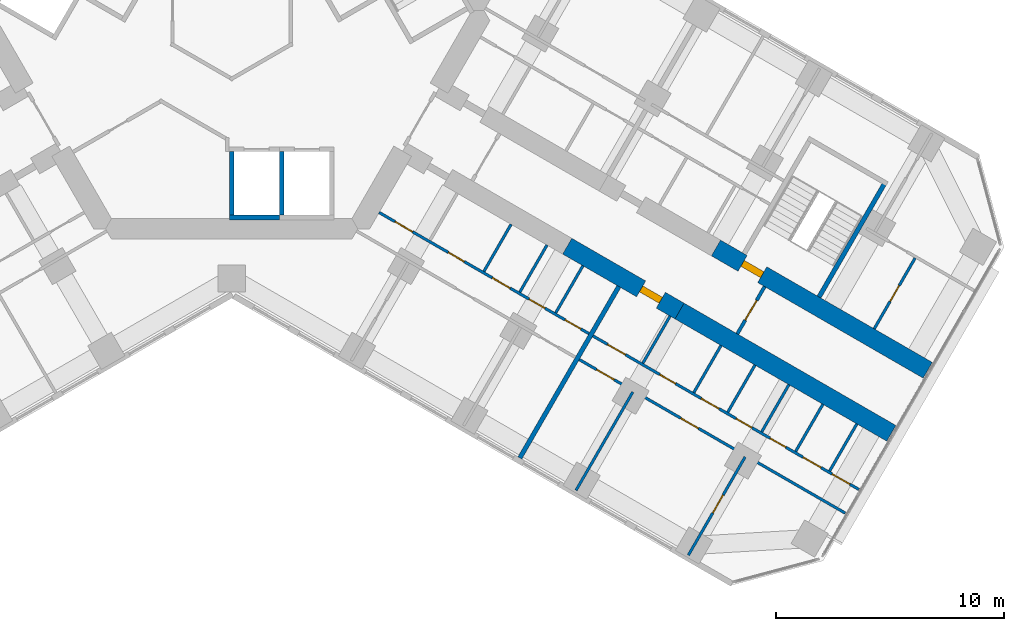
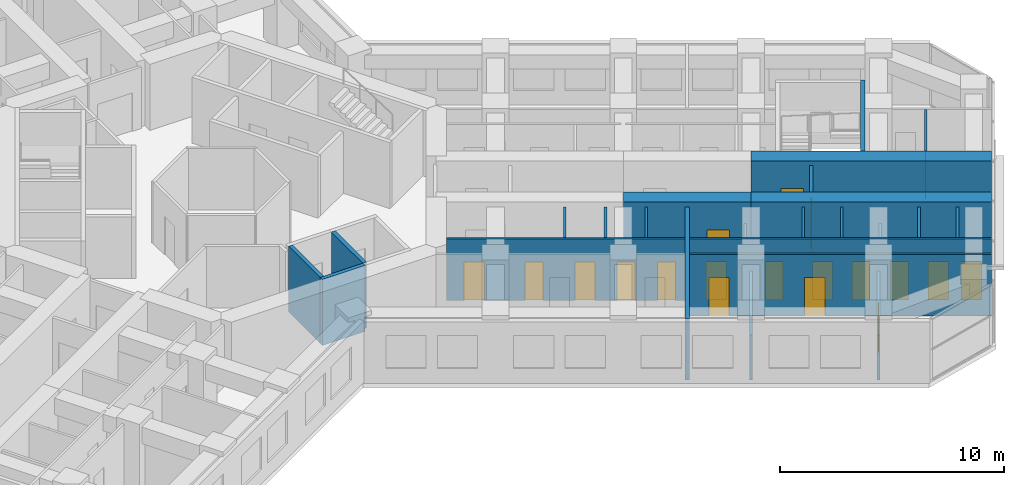
# One storey, part 14 of 20: 24 walls, 19 doors, 19 openings.
"""IFC4 building model written with IfcOpenShell, lengths in metres."""

from ifc_helpers import new_model, si_unit, direction, frame, frame_2d, origin, place, context, subcontext, project, spatial, rectangle, extrude, material, layer, layer_set, type_object, element, fill, save


model = new_model("IFC4")

# Units and contexts
model_context = context("Model", 3, precision=1e-05, world=origin(), true_north=direction((0.0, 1.0)))
body_context = subcontext(model_context, "Body", "Model", "MODEL_VIEW")
ifc_project = project(units=[si_unit("LENGTHUNIT", "METRE"), si_unit("AREAUNIT", "SQUARE_METRE"), si_unit("VOLUMEUNIT", "CUBIC_METRE"), si_unit("PLANEANGLEUNIT", "RADIAN"), si_unit("MASSUNIT", "GRAM", prefix="KILO")], contexts=[model_context])

# Site, building, storey
site_placement = place(None, origin())
site = spatial("IfcSite", under=ifc_project, at=site_placement, CompositionType="ELEMENT")
building_placement = place(site_placement, origin())
building = spatial("IfcBuilding", under=site, at=building_placement, Name="Kosmar Iwan School Tower", CompositionType="ELEMENT")
storey_placement = place(building_placement, frame((0.0, 0.0, 127.39990234375)))
storey = spatial("IfcBuildingStorey", under=building, at=storey_placement, Name="L31", CompositionType="ELEMENT", Elevation=127.39990234375)

# Wall, opening, door
ifc_material_1 = material(Name="Concrete C50/60", Category="concrete")
ifc_layer_1 = layer(ifc_material_1, 0.800048828125)
ifc_layer_set_1 = layer_set([ifc_layer_1], Name="Corridor buttress wall 800")
wall_type_1 = type_object("IfcWallType", Name="Corridor buttress wall 800", PredefinedType="SHEAR", material=ifc_layer_set_1)
wall_1_placement = place(storey_placement, frame((21.281494140625, -10.439453125, 0.0), z_axis=(0.0, 0.0, 1.0), x_axis=(0.866032345022, -0.499987977232, 0.0)))
wall_1 = element("IfcWall", 1, at=wall_1_placement, inside=storey, type_object=wall_type_1, Name="Corridor wall CL bay 3", PredefinedType="SHEAR", context=body_context, shape_type="SweptSolid", body=[
    extrude(rectangle(XDim=10.744873046875, YDim=0.800048828125, at=frame_2d((5.37255859375, 0.0))), origin(), (0.0, 0.0, 1.0), 3.60009765625),
])
opening_1_placement = place(wall_1_placement, frame((1.35009765625, 0.0, 0.0)))
opening_1 = element("IfcOpeningElement", 2, at=opening_1_placement, cuts=wall_1, Name="Opening D6", PredefinedType="OPENING", context=body_context, shape_type="SweptSolid", body=[
    extrude(rectangle(XDim=1.0, YDim=2.10009765625, at=frame_2d((0.5, 1.050048828125))), frame((0.0, 0.412109375, 0.0), z_axis=(0.0, -1.0, 0.0), x_axis=(1.0, 0.0, 0.0)), (0.0, 0.0, 1.0), 0.823974609375),
])
ifc_material_2 = material(Name="Steel fire door", Category="steel")
door_type_1 = type_object("IfcDoorType", Name="Stair door 1000x2100", OperationType="SINGLE_SWING_LEFT", PredefinedType="DOOR", material=ifc_material_2)
door_1_placement = place(opening_1_placement, origin())
door_1 = element("IfcDoor", 3, at=door_1_placement, inside=storey, type_object=door_type_1, Name="Stair WS3 door L31", OperationType="SINGLE_SWING_LEFT", OverallHeight=2.10009765625, OverallWidth=1.0, PredefinedType="DOOR", context=body_context, shape_type="SweptSolid", body=[
    extrude(rectangle(XDim=1.0, YDim=2.10009765625, at=frame_2d((0.5, 1.050048828125))), frame((0.0, 0.14990234375, 0.0), z_axis=(0.0, -1.0, 0.0), x_axis=(1.0, 0.0, 0.0)), (0.0, 0.0, 1.0), 0.300048828125),
])
fill(opening_1, door_1)

wall_2_placement = place(storey_placement, frame((14.7451171875, -10.360595703125, 0.0), z_axis=(0.0, 0.0, 1.0), x_axis=(0.866015111908, -0.50001782563, 0.0)))
wall_2 = element("IfcWall", 4, at=wall_2_placement, inside=storey, type_object=wall_type_1, Name="Corridor wall CR bay 2", PredefinedType="SHEAR", context=body_context, shape_type="SweptSolid", body=[
    extrude(rectangle(XDim=5.699951171875, YDim=0.800048828125, at=frame_2d((2.85009765625, 0.0))), origin(), (0.0, 0.0, 1.0), 3.60009765625),
])
opening_2_placement = place(wall_2_placement, frame((3.75, 0.0, 0.0)))
opening_2 = element("IfcOpeningElement", 5, at=opening_2_placement, cuts=wall_2, Name="Opening D1", PredefinedType="OPENING", context=body_context, shape_type="SweptSolid", body=[
    extrude(rectangle(XDim=1.0, YDim=2.10009765625, at=frame_2d((0.5, 1.050048828125))), frame((0.0, 0.412109375, 0.0), z_axis=(0.0, -1.0, 0.0), x_axis=(1.0, 0.0, 0.0)), (0.0, 0.0, 1.0), 0.823974609375),
])
ifc_material_3 = material(Name="Timber fire door in steel frame", Category="steel")
door_type_2 = type_object("IfcDoorType", Name="Flat entrance door 1000x2100", OperationType="SINGLE_SWING_LEFT", PredefinedType="DOOR", material=ifc_material_3)
door_2_placement = place(opening_2_placement, origin())
door_2 = element("IfcDoor", 6, at=door_2_placement, inside=storey, type_object=door_type_2, Name="Flat L31-CR2 entrance door", OperationType="SINGLE_SWING_RIGHT", OverallHeight=2.10009765625, OverallWidth=1.0, PredefinedType="DOOR", context=body_context, shape_type="SweptSolid", body=[
    extrude(rectangle(XDim=1.0, YDim=2.10009765625, at=frame_2d((0.5, 1.050048828125))), frame((0.0, 0.14990234375, 0.0), z_axis=(0.0, -1.0, 0.0), x_axis=(1.0, 0.0, 0.0)), (0.0, 0.0, 1.0), 0.300048828125),
])
fill(opening_2, door_2)

# Wall
wall_3_placement = place(storey_placement, frame((19.681396484375, -13.210693359375, 0.0), z_axis=(0.0, 0.0, 1.0), x_axis=(0.866028186671, -0.499995179869, 0.0)))
element("IfcWall", 7, at=wall_3_placement, inside=storey, type_object=wall_type_1, Name="Corridor wall CR bay 3", PredefinedType="SHEAR", context=body_context, shape_type="SweptSolid", body=[
    extrude(rectangle(XDim=10.7451171875, YDim=0.800048828125, at=frame_2d((5.37255859375, 0.0))), origin(), (0.0, 0.0, 1.0), 3.60009765625),
])

# Wall, opening, door
ifc_material_4 = material(Name="Gypsum board on steel studs, fire-rated", Category="steel")
ifc_layer_2 = layer(ifc_material_4, 0.14990234375)
ifc_layer_set_2 = layer_set([ifc_layer_2], Name="Corridor end wall 150")
wall_type_2 = type_object("IfcWallType", Name="Corridor end wall 150", PredefinedType="PARTITIONING", material=ifc_layer_set_2)
wall_4_placement = place(storey_placement, frame((22.2197265625, -14.21435546875, 0.0), z_axis=(0.0, 0.0, 1.0), x_axis=(0.499957262057, 0.866050077142, 0.0)))
wall_4 = element("IfcWall", 8, at=wall_4_placement, inside=storey, type_object=wall_type_2, Name="Partition L31-C-CE", PredefinedType="PARTITIONING", context=body_context, shape_type="SweptSolid", body=[
    extrude(rectangle(XDim=2.400146484375, YDim=0.14990234375, at=frame_2d((1.2001953125, 0.0))), origin(), (0.0, 0.0, 1.0), 3.35009765625),
])
opening_3_placement = place(wall_4_placement, frame((0.699951171875, 0.0, 0.0)))
opening_3 = element("IfcOpeningElement", 9, at=opening_3_placement, cuts=wall_4, Name="Opening D13", PredefinedType="OPENING", context=body_context, shape_type="SweptSolid", body=[
    extrude(rectangle(XDim=1.0, YDim=2.10009765625, at=frame_2d((0.5, 1.050048828125))), frame((0.0, 0.0869140625, 0.0), z_axis=(0.0, -1.0, 0.0), x_axis=(1.0, 0.0, 0.0)), (0.0, 0.0, 1.0), 0.173828125),
])
ifc_material_5 = material(Name="Timber fire door with vision panel", Category="wood")
door_type_3 = type_object("IfcDoorType", Name="Corridor end door 1000x2100", OperationType="SINGLE_SWING_LEFT", PredefinedType="DOOR", material=ifc_material_5)
door_3_placement = place(opening_3_placement, origin())
door_3 = element("IfcDoor", 10, at=door_3_placement, inside=storey, type_object=door_type_3, Name="Family study room door L31-C", OperationType="SINGLE_SWING_RIGHT", OverallHeight=2.10009765625, OverallWidth=1.0, PredefinedType="DOOR", context=body_context, shape_type="SweptSolid", body=[
    extrude(rectangle(XDim=1.0, YDim=2.10009765625, at=frame_2d((0.5, 1.050048828125))), frame((0.0, 0.02490234375, 0.0), z_axis=(0.0, -1.0, 0.0), x_axis=(1.0, 0.0, 0.0)), (0.0, 0.0, 1.0), 0.050048828125),
])
fill(opening_3, door_3)

ifc_material_6 = material(Name="Gypsum board on steel studs", Category="steel")
ifc_layer_3 = layer(ifc_material_6, 0.1201171875)
ifc_layer_set_3 = layer_set([ifc_layer_3], Name="Dwelling partition 120")
wall_type_3 = type_object("IfcWallType", Name="Dwelling partition 120", PredefinedType="PARTITIONING", material=ifc_layer_set_3)
wall_5_placement = place(storey_placement, frame((28.236572265625, -13.992919921875, 0.0), z_axis=(0.0, 0.0, 1.0), x_axis=(0.499971658126, 0.866041766355, 0.0)))
wall_5 = element("IfcWall", 11, at=wall_5_placement, inside=storey, type_object=wall_type_3, Name="Partition L31-CL2-TY", PredefinedType="PARTITIONING", context=body_context, shape_type="SweptSolid", body=[
    extrude(rectangle(XDim=3.590087890625, YDim=0.1201171875, at=frame_2d((1.794921875, 0.0))), origin(), (0.0, 0.0, 1.0), 3.35009765625),
])
opening_4_placement = place(wall_5_placement, frame((1.39501953125, 0.0, 0.0)))
opening_4 = element("IfcOpeningElement", 12, at=opening_4_placement, cuts=wall_5, Name="Opening D3", PredefinedType="OPENING", context=body_context, shape_type="SweptSolid", body=[
    extrude(rectangle(XDim=0.800048828125, YDim=2.10009765625, at=frame_2d((0.39990234375, 1.050048828125))), frame((0.0, 0.072021484375, 0.0), z_axis=(0.0, -1.0, 0.0), x_axis=(1.0, 0.0, 0.0)), (0.0, 0.0, 1.0), 0.14404296875),
])
ifc_material_7 = material(Name="Timber door in timber frame", Category="wood")
door_type_4 = type_object("IfcDoorType", Name="Sanitary room door 800x2100", OperationType="SINGLE_SWING_LEFT", PredefinedType="DOOR", material=ifc_material_7)
door_4_placement = place(opening_4_placement, origin())
door_4 = element("IfcDoor", 13, at=door_4_placement, inside=storey, type_object=door_type_4, Name="Shower room door L31-CL2-T4", OperationType="SINGLE_SWING_RIGHT", OverallHeight=2.10009765625, OverallWidth=0.800048828125, PredefinedType="DOOR", context=body_context, shape_type="SweptSolid", body=[
    extrude(rectangle(XDim=0.800048828125, YDim=2.10009765625, at=frame_2d((0.39990234375, 1.050048828125))), frame((0.0, 0.02490234375, 0.0), z_axis=(0.0, -1.0, 0.0), x_axis=(1.0, 0.0, 0.0)), (0.0, 0.0, 1.0), 0.050048828125),
])
fill(opening_4, door_4)

# Wall, openings, doors
wall_6_placement = place(storey_placement, frame((6.478515625, -8.87890625, 0.0), z_axis=(0.0, 0.0, 1.0), x_axis=(0.866026778288, -0.499997619282, 0.0)))
wall_6 = element("IfcWall", 14, at=wall_6_placement, inside=storey, type_object=wall_type_3, Name="Partition L31-CR1-W1", PredefinedType="PARTITIONING", context=body_context, shape_type="SweptSolid", body=[
    extrude(rectangle(XDim=10.64990234375, YDim=0.1201171875, at=frame_2d((5.324951171875, 0.0))), origin(), (0.0, 0.0, 1.0), 3.35009765625),
])
opening_5_placement = place(wall_6_placement, frame((0.800048828125, 0.0, 0.0)))
opening_5 = element("IfcOpeningElement", 15, at=opening_5_placement, cuts=wall_6, Name="Opening D2", PredefinedType="OPENING", context=body_context, shape_type="SweptSolid", body=[
    extrude(rectangle(XDim=0.89990234375, YDim=2.10009765625, at=frame_2d((0.449951171875, 1.050048828125))), frame((0.0, 0.072021484375, 0.0), z_axis=(0.0, -1.0, 0.0), x_axis=(1.0, 0.0, 0.0)), (0.0, 0.0, 1.0), 0.14404296875),
])
opening_6_placement = place(wall_6_placement, frame((3.5166015625, 0.0, 0.0)))
opening_6 = element("IfcOpeningElement", 16, at=opening_6_placement, cuts=wall_6, Name="Opening D3", PredefinedType="OPENING", context=body_context, shape_type="SweptSolid", body=[
    extrude(rectangle(XDim=0.800048828125, YDim=2.10009765625, at=frame_2d((0.39990234375, 1.050048828125))), frame((0.0, 0.072021484375, 0.0), z_axis=(0.0, -1.0, 0.0), x_axis=(1.0, 0.0, 0.0)), (0.0, 0.0, 1.0), 0.14404296875),
])
opening_7_placement = place(wall_6_placement, frame((5.744384765625, 0.0, 0.0)))
opening_7 = element("IfcOpeningElement", 17, at=opening_7_placement, cuts=wall_6, Name="Opening D2", PredefinedType="OPENING", context=body_context, shape_type="SweptSolid", body=[
    extrude(rectangle(XDim=0.89990234375, YDim=2.10009765625, at=frame_2d((0.449951171875, 1.050048828125))), frame((0.0, 0.072021484375, 0.0), z_axis=(0.0, -1.0, 0.0), x_axis=(1.0, 0.0, 0.0)), (0.0, 0.0, 1.0), 0.14404296875),
])
opening_8_placement = place(wall_6_placement, frame((7.61669921875, 0.0, 0.0)))
opening_8 = element("IfcOpeningElement", 18, at=opening_8_placement, cuts=wall_6, Name="Opening D3", PredefinedType="OPENING", context=body_context, shape_type="SweptSolid", body=[
    extrude(rectangle(XDim=0.800048828125, YDim=2.10009765625, at=frame_2d((0.39990234375, 1.050048828125))), frame((0.0, 0.072021484375, 0.0), z_axis=(0.0, -1.0, 0.0), x_axis=(1.0, 0.0, 0.0)), (0.0, 0.0, 1.0), 0.14404296875),
])
opening_9_placement = place(wall_6_placement, frame((9.43896484375, 0.0, 0.0)))
opening_9 = element("IfcOpeningElement", 19, at=opening_9_placement, cuts=wall_6, Name="Opening D3", PredefinedType="OPENING", context=body_context, shape_type="SweptSolid", body=[
    extrude(rectangle(XDim=0.800048828125, YDim=2.10009765625, at=frame_2d((0.39990234375, 1.050048828125))), frame((0.0, 0.072021484375, 0.0), z_axis=(0.0, -1.0, 0.0), x_axis=(1.0, 0.0, 0.0)), (0.0, 0.0, 1.0), 0.14404296875),
])
ifc_material_8 = material(Name="Timber door in timber frame", Category="wood")
door_type_5 = type_object("IfcDoorType", Name="Internal door 900x2100", OperationType="SINGLE_SWING_LEFT", PredefinedType="DOOR", material=ifc_material_8)
door_5_placement = place(opening_5_placement, origin())
door_5 = element("IfcDoor", 20, at=door_5_placement, inside=storey, type_object=door_type_5, Name="Entrance hall door L31-CR1-S1", OperationType="SINGLE_SWING_LEFT", OverallHeight=2.10009765625, OverallWidth=0.89990234375, PredefinedType="DOOR", context=body_context, shape_type="SweptSolid", body=[
    extrude(rectangle(XDim=0.89990234375, YDim=2.10009765625, at=frame_2d((0.449951171875, 1.050048828125))), frame((0.0, 0.02490234375, 0.0), z_axis=(0.0, -1.0, 0.0), x_axis=(1.0, 0.0, 0.0)), (0.0, 0.0, 1.0), 0.050048828125),
])
fill(opening_5, door_5)
door_6_placement = place(opening_7_placement, origin())
door_6 = element("IfcDoor", 21, at=door_6_placement, inside=storey, type_object=door_type_5, Name="Pantry door L31-CR1-S3", OperationType="SINGLE_SWING_LEFT", OverallHeight=2.10009765625, OverallWidth=0.89990234375, PredefinedType="DOOR", context=body_context, shape_type="SweptSolid", body=[
    extrude(rectangle(XDim=0.89990234375, YDim=2.10009765625, at=frame_2d((0.449951171875, 1.050048828125))), frame((0.0, 0.02490234375, 0.0), z_axis=(0.0, -1.0, 0.0), x_axis=(1.0, 0.0, 0.0)), (0.0, 0.0, 1.0), 0.050048828125),
])
fill(opening_7, door_6)
door_7_placement = place(opening_6_placement, origin())
door_7 = element("IfcDoor", 22, at=door_7_placement, inside=storey, type_object=door_type_4, Name="Bathroom door L31-CR1-S2", OperationType="SINGLE_SWING_RIGHT", OverallHeight=2.10009765625, OverallWidth=0.800048828125, PredefinedType="DOOR", context=body_context, shape_type="SweptSolid", body=[
    extrude(rectangle(XDim=0.800048828125, YDim=2.10009765625, at=frame_2d((0.39990234375, 1.050048828125))), frame((0.0, 0.02490234375, 0.0), z_axis=(0.0, -1.0, 0.0), x_axis=(1.0, 0.0, 0.0)), (0.0, 0.0, 1.0), 0.050048828125),
])
fill(opening_6, door_7)
door_8_placement = place(opening_8_placement, origin())
door_8 = element("IfcDoor", 23, at=door_8_placement, inside=storey, type_object=door_type_4, Name="WC door L31-CR1-S4", OperationType="SINGLE_SWING_RIGHT", OverallHeight=2.10009765625, OverallWidth=0.800048828125, PredefinedType="DOOR", context=body_context, shape_type="SweptSolid", body=[
    extrude(rectangle(XDim=0.800048828125, YDim=2.10009765625, at=frame_2d((0.39990234375, 1.050048828125))), frame((0.0, 0.02490234375, 0.0), z_axis=(0.0, -1.0, 0.0), x_axis=(1.0, 0.0, 0.0)), (0.0, 0.0, 1.0), 0.050048828125),
])
fill(opening_8, door_8)
door_9_placement = place(opening_9_placement, origin())
door_9 = element("IfcDoor", 24, at=door_9_placement, inside=storey, type_object=door_type_4, Name="Store door L31-CR1-S5", OperationType="SINGLE_SWING_RIGHT", OverallHeight=2.10009765625, OverallWidth=0.800048828125, PredefinedType="DOOR", context=body_context, shape_type="SweptSolid", body=[
    extrude(rectangle(XDim=0.800048828125, YDim=2.10009765625, at=frame_2d((0.39990234375, 1.050048828125))), frame((0.0, 0.02490234375, 0.0), z_axis=(0.0, -1.0, 0.0), x_axis=(1.0, 0.0, 0.0)), (0.0, 0.0, 1.0), 0.050048828125),
])
fill(opening_9, door_9)

# Walls
for number, where, z_axis, x_axis, name in (
    (25, (12.279052734375, -9.398681640625, 0.0), (0.0, 0.0, 1.0), (-0.500017192868, -0.86601547725, 0.0), "Partition L31-CR1-Y2"),
    (26, (13.857177734375, -10.309814453125, 0.0), (0.0, 0.0, 1.0), (-0.500017192868, -0.86601547725, 0.0), "Partition L31-CR1-Y3"),
    (27, (15.435302734375, -11.220947265625, 0.0), (0.0, 0.0, 1.0), (-0.500017192868, -0.86601547725, 0.0), "Partition L31-CR1-Y4"),
):
    element("IfcWall", number, at=place(storey_placement, frame(where, z_axis=z_axis, x_axis=x_axis)), inside=storey, type_object=wall_type_3, Name=name, PredefinedType="PARTITIONING", context=body_context, shape_type="SweptSolid", body=[
        extrude(rectangle(XDim=2.39013671875, YDim=0.1201171875, at=frame_2d((1.195068359375, 0.0))), origin(), (0.0, 0.0, 1.0), 3.35009765625),
    ])

# Wall, openings, doors
wall_7_placement = place(storey_placement, frame((15.875, -14.3037109375, 0.0), z_axis=(0.0, 0.0, 1.0), x_axis=(0.866023503214, -0.50000329187, 0.0)))
wall_7 = element("IfcWall", 28, at=wall_7_placement, inside=storey, type_object=wall_type_3, Name="Partition L31-CR2-W1", PredefinedType="PARTITIONING", context=body_context, shape_type="SweptSolid", body=[
    extrude(rectangle(XDim=13.4951171875, YDim=0.1201171875, at=frame_2d((6.74755859375, 0.0))), origin(), (0.0, 0.0, 1.0), 3.35009765625),
])
opening_10_placement = place(wall_7_placement, frame((0.75, 0.0, 0.0)))
opening_10 = element("IfcOpeningElement", 29, at=opening_10_placement, cuts=wall_7, Name="Opening D2", PredefinedType="OPENING", context=body_context, shape_type="SweptSolid", body=[
    extrude(rectangle(XDim=0.89990234375, YDim=2.10009765625, at=frame_2d((0.449951171875, 1.050048828125))), frame((0.0, 0.072021484375, 0.0), z_axis=(0.0, -1.0, 0.0), x_axis=(1.0, 0.0, 0.0)), (0.0, 0.0, 1.0), 0.14404296875),
])
opening_11_placement = place(wall_7_placement, frame((3.392333984375, 0.0, 0.0)))
opening_11 = element("IfcOpeningElement", 30, at=opening_11_placement, cuts=wall_7, Name="Opening D3", PredefinedType="OPENING", context=body_context, shape_type="SweptSolid", body=[
    extrude(rectangle(XDim=0.800048828125, YDim=2.10009765625, at=frame_2d((0.39990234375, 1.050048828125))), frame((0.0, 0.072021484375, 0.0), z_axis=(0.0, -1.0, 0.0), x_axis=(1.0, 0.0, 0.0)), (0.0, 0.0, 1.0), 0.14404296875),
])
opening_12_placement = place(wall_7_placement, frame((5.49609375, 0.0, 0.0)))
opening_12 = element("IfcOpeningElement", 31, at=opening_12_placement, cuts=wall_7, Name="Opening D2", PredefinedType="OPENING", context=body_context, shape_type="SweptSolid", body=[
    extrude(rectangle(XDim=0.89990234375, YDim=2.10009765625, at=frame_2d((0.449951171875, 1.050048828125))), frame((0.0, 0.072021484375, 0.0), z_axis=(0.0, -1.0, 0.0), x_axis=(1.0, 0.0, 0.0)), (0.0, 0.0, 1.0), 0.14404296875),
])
opening_13_placement = place(wall_7_placement, frame((7.269287109375, 0.0, 0.0)))
opening_13 = element("IfcOpeningElement", 32, at=opening_13_placement, cuts=wall_7, Name="Opening D3", PredefinedType="OPENING", context=body_context, shape_type="SweptSolid", body=[
    extrude(rectangle(XDim=0.800048828125, YDim=2.10009765625, at=frame_2d((0.39990234375, 1.050048828125))), frame((0.0, 0.072021484375, 0.0), z_axis=(0.0, -1.0, 0.0), x_axis=(1.0, 0.0, 0.0)), (0.0, 0.0, 1.0), 0.14404296875),
])
opening_14_placement = place(wall_7_placement, frame((8.992431640625, 0.0, 0.0)))
opening_14 = element("IfcOpeningElement", 33, at=opening_14_placement, cuts=wall_7, Name="Opening D3", PredefinedType="OPENING", context=body_context, shape_type="SweptSolid", body=[
    extrude(rectangle(XDim=0.800048828125, YDim=2.10009765625, at=frame_2d((0.39990234375, 1.050048828125))), frame((0.0, 0.072021484375, 0.0), z_axis=(0.0, -1.0, 0.0), x_axis=(1.0, 0.0, 0.0)), (0.0, 0.0, 1.0), 0.14404296875),
])
opening_15_placement = place(wall_7_placement, frame((10.665283203125, 0.0, 0.0)))
opening_15 = element("IfcOpeningElement", 34, at=opening_15_placement, cuts=wall_7, Name="Opening D2", PredefinedType="OPENING", context=body_context, shape_type="SweptSolid", body=[
    extrude(rectangle(XDim=0.89990234375, YDim=2.10009765625, at=frame_2d((0.449951171875, 1.050048828125))), frame((0.0, 0.072021484375, 0.0), z_axis=(0.0, -1.0, 0.0), x_axis=(1.0, 0.0, 0.0)), (0.0, 0.0, 1.0), 0.14404296875),
])
opening_16_placement = place(wall_7_placement, frame((12.136962890625, 0.0, 0.0)))
opening_16 = element("IfcOpeningElement", 35, at=opening_16_placement, cuts=wall_7, Name="Opening D2", PredefinedType="OPENING", context=body_context, shape_type="SweptSolid", body=[
    extrude(rectangle(XDim=0.89990234375, YDim=2.10009765625, at=frame_2d((0.449951171875, 1.050048828125))), frame((0.0, 0.072021484375, 0.0), z_axis=(0.0, -1.0, 0.0), x_axis=(1.0, 0.0, 0.0)), (0.0, 0.0, 1.0), 0.14404296875),
])
door_10_placement = place(opening_10_placement, origin())
door_10 = element("IfcDoor", 36, at=door_10_placement, inside=storey, type_object=door_type_5, Name="Entrance hall door L31-CR2-S1", OperationType="SINGLE_SWING_LEFT", OverallHeight=2.10009765625, OverallWidth=0.89990234375, PredefinedType="DOOR", context=body_context, shape_type="SweptSolid", body=[
    extrude(rectangle(XDim=0.89990234375, YDim=2.10009765625, at=frame_2d((0.449951171875, 1.050048828125))), frame((0.0, 0.02490234375, 0.0), z_axis=(0.0, -1.0, 0.0), x_axis=(1.0, 0.0, 0.0)), (0.0, 0.0, 1.0), 0.050048828125),
])
fill(opening_10, door_10)
door_11_placement = place(opening_12_placement, origin())
door_11 = element("IfcDoor", 37, at=door_11_placement, inside=storey, type_object=door_type_5, Name="Pantry door L31-CR2-S3", OperationType="SINGLE_SWING_LEFT", OverallHeight=2.10009765625, OverallWidth=0.89990234375, PredefinedType="DOOR", context=body_context, shape_type="SweptSolid", body=[
    extrude(rectangle(XDim=0.89990234375, YDim=2.10009765625, at=frame_2d((0.449951171875, 1.050048828125))), frame((0.0, 0.02490234375, 0.0), z_axis=(0.0, -1.0, 0.0), x_axis=(1.0, 0.0, 0.0)), (0.0, 0.0, 1.0), 0.050048828125),
])
fill(opening_12, door_11)
door_12_placement = place(opening_15_placement, origin())
door_12 = element("IfcDoor", 38, at=door_12_placement, inside=storey, type_object=door_type_5, Name="Utility room door L31-CR2-S6", OperationType="SINGLE_SWING_RIGHT", OverallHeight=2.10009765625, OverallWidth=0.89990234375, PredefinedType="DOOR", context=body_context, shape_type="SweptSolid", body=[
    extrude(rectangle(XDim=0.89990234375, YDim=2.10009765625, at=frame_2d((0.449951171875, 1.050048828125))), frame((0.0, 0.02490234375, 0.0), z_axis=(0.0, -1.0, 0.0), x_axis=(1.0, 0.0, 0.0)), (0.0, 0.0, 1.0), 0.050048828125),
])
fill(opening_15, door_12)
door_13_placement = place(opening_16_placement, origin())
door_13 = element("IfcDoor", 39, at=door_13_placement, inside=storey, type_object=door_type_5, Name="Dressing room door L31-CR2-S7", OperationType="SINGLE_SWING_LEFT", OverallHeight=2.10009765625, OverallWidth=0.89990234375, PredefinedType="DOOR", context=body_context, shape_type="SweptSolid", body=[
    extrude(rectangle(XDim=0.89990234375, YDim=2.10009765625, at=frame_2d((0.449951171875, 1.050048828125))), frame((0.0, 0.02490234375, 0.0), z_axis=(0.0, -1.0, 0.0), x_axis=(1.0, 0.0, 0.0)), (0.0, 0.0, 1.0), 0.050048828125),
])
fill(opening_16, door_13)
door_14_placement = place(opening_11_placement, origin())
door_14 = element("IfcDoor", 40, at=door_14_placement, inside=storey, type_object=door_type_4, Name="Bathroom door L31-CR2-S2", OperationType="SINGLE_SWING_RIGHT", OverallHeight=2.10009765625, OverallWidth=0.800048828125, PredefinedType="DOOR", context=body_context, shape_type="SweptSolid", body=[
    extrude(rectangle(XDim=0.800048828125, YDim=2.10009765625, at=frame_2d((0.39990234375, 1.050048828125))), frame((0.0, 0.02490234375, 0.0), z_axis=(0.0, -1.0, 0.0), x_axis=(1.0, 0.0, 0.0)), (0.0, 0.0, 1.0), 0.050048828125),
])
fill(opening_11, door_14)
door_15_placement = place(opening_13_placement, origin())
door_15 = element("IfcDoor", 41, at=door_15_placement, inside=storey, type_object=door_type_4, Name="WC door L31-CR2-S4", OperationType="SINGLE_SWING_RIGHT", OverallHeight=2.10009765625, OverallWidth=0.800048828125, PredefinedType="DOOR", context=body_context, shape_type="SweptSolid", body=[
    extrude(rectangle(XDim=0.800048828125, YDim=2.10009765625, at=frame_2d((0.39990234375, 1.050048828125))), frame((0.0, 0.02490234375, 0.0), z_axis=(0.0, -1.0, 0.0), x_axis=(1.0, 0.0, 0.0)), (0.0, 0.0, 1.0), 0.050048828125),
])
fill(opening_13, door_15)
door_16_placement = place(opening_14_placement, origin())
door_16 = element("IfcDoor", 42, at=door_16_placement, inside=storey, type_object=door_type_4, Name="Store door L31-CR2-S5", OperationType="SINGLE_SWING_LEFT", OverallHeight=2.10009765625, OverallWidth=0.800048828125, PredefinedType="DOOR", context=body_context, shape_type="SweptSolid", body=[
    extrude(rectangle(XDim=0.800048828125, YDim=2.10009765625, at=frame_2d((0.39990234375, 1.050048828125))), frame((0.0, 0.02490234375, 0.0), z_axis=(0.0, -1.0, 0.0), x_axis=(1.0, 0.0, 0.0)), (0.0, 0.0, 1.0), 0.050048828125),
])
fill(opening_14, door_16)

wall_8_placement = place(storey_placement, frame((15.27490234375, -15.343017578125, 0.0), z_axis=(0.0, 0.0, 1.0), x_axis=(0.866023503214, -0.50000329187, 0.0)))
wall_8 = element("IfcWall", 43, at=wall_8_placement, inside=storey, type_object=wall_type_3, Name="Partition L31-CR2-W2", PredefinedType="PARTITIONING", context=body_context, shape_type="SweptSolid", body=[
    extrude(rectangle(XDim=13.4951171875, YDim=0.1201171875, at=frame_2d((6.74755859375, 0.0))), origin(), (0.0, 0.0, 1.0), 3.35009765625),
])
opening_17_placement = place(wall_8_placement, frame((0.875, 0.0, 0.0)))
opening_17 = element("IfcOpeningElement", 44, at=opening_17_placement, cuts=wall_8, Name="Opening D2", PredefinedType="OPENING", context=body_context, shape_type="SweptSolid", body=[
    extrude(rectangle(XDim=0.89990234375, YDim=2.10009765625, at=frame_2d((0.449951171875, 1.050048828125))), frame((0.0, 0.072021484375, 0.0), z_axis=(0.0, -1.0, 0.0), x_axis=(1.0, 0.0, 0.0)), (0.0, 0.0, 1.0), 0.14404296875),
])
opening_18_placement = place(wall_8_placement, frame((5.14990234375, 0.0, 0.0)))
opening_18 = element("IfcOpeningElement", 45, at=opening_18_placement, cuts=wall_8, Name="Opening D2", PredefinedType="OPENING", context=body_context, shape_type="SweptSolid", body=[
    extrude(rectangle(XDim=0.89990234375, YDim=2.10009765625, at=frame_2d((0.449951171875, 1.050048828125))), frame((0.0, 0.072021484375, 0.0), z_axis=(0.0, -1.0, 0.0), x_axis=(1.0, 0.0, 0.0)), (0.0, 0.0, 1.0), 0.14404296875),
])
door_17_placement = place(opening_17_placement, origin())
door_17 = element("IfcDoor", 46, at=door_17_placement, inside=storey, type_object=door_type_5, Name="Bedroom 1 door L31-CR2-F1", OperationType="SINGLE_SWING_LEFT", OverallHeight=2.10009765625, OverallWidth=0.89990234375, PredefinedType="DOOR", context=body_context, shape_type="SweptSolid", body=[
    extrude(rectangle(XDim=0.89990234375, YDim=2.10009765625, at=frame_2d((0.449951171875, 1.050048828125))), frame((0.0, 0.02490234375, 0.0), z_axis=(0.0, -1.0, 0.0), x_axis=(1.0, 0.0, 0.0)), (0.0, 0.0, 1.0), 0.050048828125),
])
fill(opening_17, door_17)
door_18_placement = place(opening_18_placement, origin())
door_18 = element("IfcDoor", 47, at=door_18_placement, inside=storey, type_object=door_type_5, Name="Family room door L31-CR2-F2", OperationType="SINGLE_SWING_LEFT", OverallHeight=2.10009765625, OverallWidth=0.89990234375, PredefinedType="DOOR", context=body_context, shape_type="SweptSolid", body=[
    extrude(rectangle(XDim=0.89990234375, YDim=2.10009765625, at=frame_2d((0.449951171875, 1.050048828125))), frame((0.0, 0.02490234375, 0.0), z_axis=(0.0, -1.0, 0.0), x_axis=(1.0, 0.0, 0.0)), (0.0, 0.0, 1.0), 0.050048828125),
])
fill(opening_18, door_18)

# Wall
wall_9_placement = place(storey_placement, frame((17.62646484375, -16.77001953125, 0.0), z_axis=(0.0, 0.0, 1.0), x_axis=(-0.499975153383, -0.86603974851, 0.0)))
element("IfcWall", 48, at=wall_9_placement, inside=storey, type_object=wall_type_3, Name="Partition L31-CR2-X1", PredefinedType="PARTITIONING", context=body_context, shape_type="SweptSolid", body=[
    extrude(rectangle(XDim=4.989990234375, YDim=0.1201171875, at=frame_2d((2.4951171875, 0.0))), origin(), (0.0, 0.0, 1.0), 2.4501953125),
])

# Wall, opening, door
wall_10_placement = place(storey_placement, frame((22.562744140625, -19.6201171875, 0.0), z_axis=(0.0, 0.0, 1.0), x_axis=(-0.499996339024, -0.86602751744, 0.0)))
wall_10 = element("IfcWall", 49, at=wall_10_placement, inside=storey, type_object=wall_type_3, Name="Partition L31-CR2-X2", PredefinedType="PARTITIONING", context=body_context, shape_type="SweptSolid", body=[
    extrude(rectangle(XDim=4.98974609375, YDim=0.1201171875, at=frame_2d((2.494873046875, 0.0))), origin(), (0.0, 0.0, 1.0), 2.4501953125),
])
opening_19_placement = place(wall_10_placement, frame((1.93994140625, 0.0, 0.0)))
opening_19 = element("IfcOpeningElement", 50, at=opening_19_placement, cuts=wall_10, Name="Opening D2", PredefinedType="OPENING", context=body_context, shape_type="SweptSolid", body=[
    extrude(rectangle(XDim=0.89990234375, YDim=2.10009765625, at=frame_2d((0.449951171875, 1.050048828125))), frame((0.0, 0.072021484375, 0.0), z_axis=(0.0, -1.0, 0.0), x_axis=(1.0, 0.0, 0.0)), (0.0, 0.0, 1.0), 0.14404296875),
])
door_19_placement = place(opening_19_placement, origin())
door_19 = element("IfcDoor", 51, at=door_19_placement, inside=storey, type_object=door_type_5, Name="Kitchen and dining room door L31-CR2-F3", OperationType="SINGLE_SWING_LEFT", OverallHeight=2.10009765625, OverallWidth=0.89990234375, PredefinedType="DOOR", context=body_context, shape_type="SweptSolid", body=[
    extrude(rectangle(XDim=0.89990234375, YDim=2.10009765625, at=frame_2d((0.449951171875, 1.050048828125))), frame((0.0, 0.02490234375, 0.0), z_axis=(0.0, -1.0, 0.0), x_axis=(1.0, 0.0, 0.0)), (0.0, 0.0, 1.0), 0.050048828125),
])
fill(opening_19, door_19)

# Walls
wall_11_placement = place(storey_placement, frame((19.264892578125, -13.43212890625, 0.0), z_axis=(0.0, 0.0, 1.0), x_axis=(-0.499940577336, -0.866059708757, 0.0)))
element("IfcWall", 52, at=wall_11_placement, inside=storey, type_object=wall_type_3, Name="Partition L31-CR2-Y1", PredefinedType="PARTITIONING", context=body_context, shape_type="SweptSolid", body=[
    extrude(rectangle(XDim=2.389892578125, YDim=0.1201171875, at=frame_2d((1.19482421875, 0.0))), origin(), (0.0, 0.0, 1.0), 2.4501953125),
])
for number, where, z_axis, x_axis, name in (
    (53, (21.50341796875, -14.724365234375, 0.0), (0.0, 0.0, 1.0), (-0.500017192868, -0.86601547725, 0.0), "Partition L31-CR2-Y2"),
    (54, (22.99560546875, -15.5859375, 0.0), (0.0, 0.0, 1.0), (-0.500017192868, -0.86601547725, 0.0), "Partition L31-CR2-Y3"),
):
    element("IfcWall", number, at=place(storey_placement, frame(where, z_axis=z_axis, x_axis=x_axis)), inside=storey, type_object=wall_type_3, Name=name, PredefinedType="PARTITIONING", context=body_context, shape_type="SweptSolid", body=[
        extrude(rectangle(XDim=2.39013671875, YDim=0.1201171875, at=frame_2d((1.195068359375, 0.0))), origin(), (0.0, 0.0, 1.0), 3.35009765625),
    ])
wall_12_placement = place(storey_placement, frame((24.48779296875, -16.447509765625, 0.0), z_axis=(0.0, 0.0, 1.0), x_axis=(-0.500017192868, -0.86601547725, 0.0)))
element("IfcWall", 55, at=wall_12_placement, inside=storey, type_object=wall_type_3, Name="Partition L31-CR2-Y4", PredefinedType="PARTITIONING", context=body_context, shape_type="SweptSolid", body=[
    extrude(rectangle(XDim=2.39013671875, YDim=0.1201171875, at=frame_2d((1.195068359375, 0.0))), origin(), (0.0, 0.0, 1.0), 2.4501953125),
])
for number, where, z_axis, x_axis, name in (
    (56, (25.97998046875, -17.30908203125, 0.0), (0.0, 0.0, 1.0), (-0.500061428766, -0.865989934965, 0.0), "Partition L31-CR2-Y5"),
    (57, (27.47216796875, -18.17041015625, 0.0), (0.0, 0.0, 1.0), (-0.499940577336, -0.866059708757, 0.0), "Partition L31-CR2-Y6"),
):
    element("IfcWall", number, at=place(storey_placement, frame(where, z_axis=z_axis, x_axis=x_axis)), inside=storey, type_object=wall_type_3, Name=name, PredefinedType="PARTITIONING", context=body_context, shape_type="SweptSolid", body=[
        extrude(rectangle(XDim=2.389892578125, YDim=0.1201171875, at=frame_2d((1.19482421875, 0.0))), origin(), (0.0, 0.0, 1.0), 3.35009765625),
    ])
ifc_material_9 = material(Name="Concrete C35/45", Category="concrete")
ifc_layer_4 = layer(ifc_material_9, 0.199951171875)
ifc_layer_set_4 = layer_set([ifc_layer_4], Name="Escape stair wall 200")
wall_type_4 = type_object("IfcWallType", Name="Escape stair wall 200", PredefinedType="SHEAR", material=ifc_layer_set_4)
wall_13_placement = place(storey_placement, frame((25.8115234375, -12.593017578125, 0.0), z_axis=(0.0, 0.0, 1.0), x_axis=(0.500019744199, 0.866014004166, 0.0)))
element("IfcWall", 58, at=wall_13_placement, inside=storey, type_object=wall_type_4, Name="Stair WS3 wall", PredefinedType="SHEAR", context=body_context, shape_type="SweptSolid", body=[
    extrude(rectangle(XDim=5.900146484375, YDim=0.199951171875, at=frame_2d((2.9501953125, 0.0))), origin(), (0.0, 0.0, 1.0), 3.330078125),
])
ifc_material_10 = material(Name="Concrete C50/60", Category="concrete")
ifc_layer_5 = layer(ifc_material_10, 0.199951171875)
ifc_layer_set_5 = layer_set([ifc_layer_5], Name="Lift shaft wall 200")
wall_type_5 = type_object("IfcWallType", Name="Lift shaft wall 200", PredefinedType="SHEAR", material=ifc_layer_set_5)
wall_14_placement = place(storey_placement, frame((-0.10009765625, -9.10009765625, 0.0), z_axis=(0.0, 0.0, 1.0), x_axis=(1.0, 0.0, 0.0)))
element("IfcWall", 59, at=wall_14_placement, inside=storey, type_object=wall_type_5, Name="Lift and stair back wall BC", PredefinedType="SHEAR", context=body_context, shape_type="SweptSolid", body=[
    extrude(rectangle(XDim=2.2001953125, YDim=0.199951171875, at=frame_2d((1.10009765625, 0.0))), origin(), (0.0, 0.0, 1.0), 3.60009765625),
])
for number, where, z_axis, x_axis, name in (
    (60, (0.0, -6.199951171875, 0.0), (0.0, 0.0, 1.0), (0.0, -1.0, 0.0), "Lift shaft wall BC 0"),
    (61, (2.199951171875, -6.199951171875, 0.0), (0.0, 0.0, 1.0), (0.0, -1.0, 0.0), "Lift shaft wall BC 1"),
):
    element("IfcWall", number, at=place(storey_placement, frame(where, z_axis=z_axis, x_axis=x_axis)), inside=storey, type_object=wall_type_5, Name=name, PredefinedType="SHEAR", context=body_context, shape_type="SweptSolid", body=[
        extrude(rectangle(XDim=2.800048828125, YDim=0.199951171875, at=frame_2d((1.39990234375, 0.0))), origin(), (0.0, 0.0, 1.0), 3.60009765625),
    ])
ifc_material_11 = material(Name="Concrete block masonry", Category="masonry")
ifc_layer_6 = layer(ifc_material_11, 0.199951171875)
ifc_layer_set_6 = layer_set([ifc_layer_6], Name="Party wall 200")
wall_type_6 = type_object("IfcWallType", Name="Party wall 200", PredefinedType="PARTITIONING", material=ifc_layer_set_6)
wall_15_placement = place(storey_placement, frame((17.013427734375, -12.132080078125, 0.0), z_axis=(0.0, 0.0, 1.0), x_axis=(-0.500008278454, -0.866020624164, 0.0)))
element("IfcWall", 62, at=wall_15_placement, inside=storey, type_object=wall_type_6, Name="Partition L31-CR2-PW", PredefinedType="PARTITIONING", context=body_context, shape_type="SweptSolid", body=[
    extrude(rectangle(XDim=8.699951171875, YDim=0.199951171875, at=frame_2d((4.35009765625, 0.0))), origin(), (0.0, 0.0, 1.0), 3.35009765625),
])

save(model, "model.ifc")
